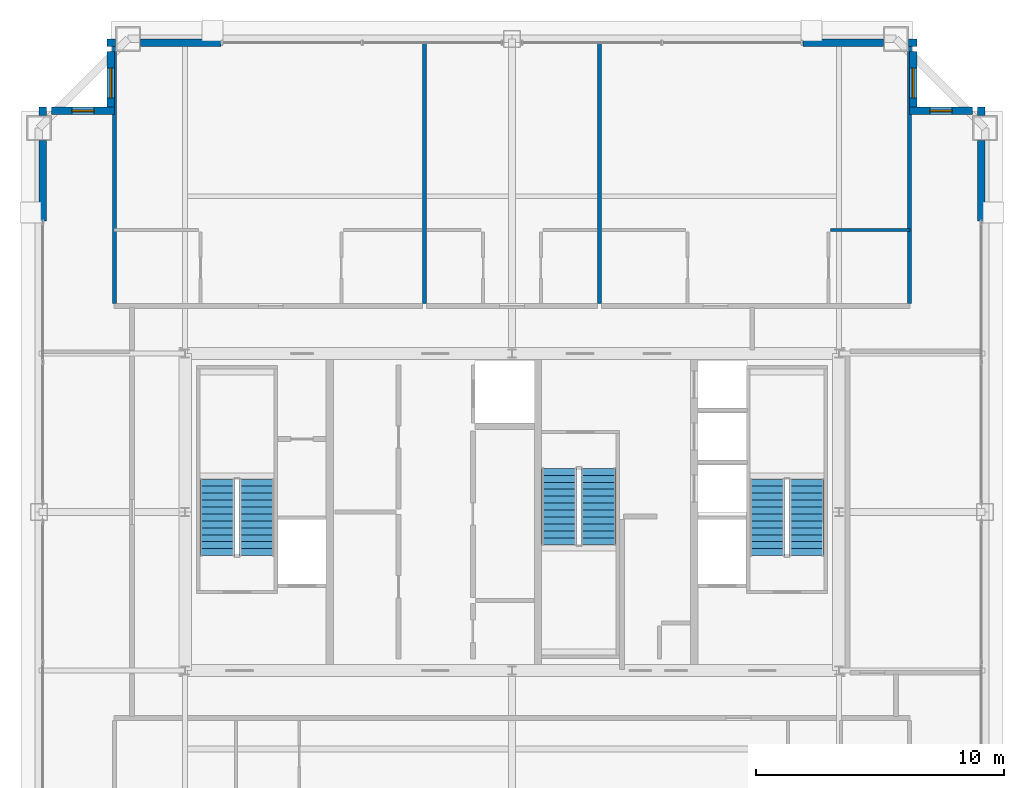
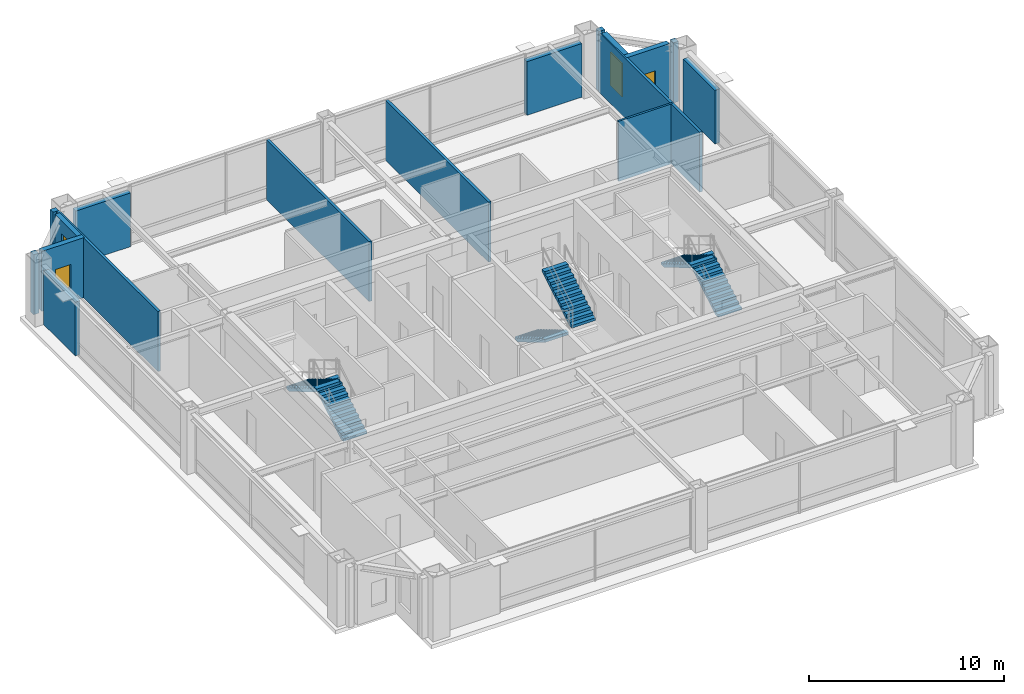
# One storey, part 33 of 34: 17 walls, 6 stair flights, 4 windows, 4 openings, 3 elements without a shape of their own.
"""IFC4 building model written with IfcOpenShell, lengths in metres."""

from ifc_helpers import new_model, si_unit, direction, frame, frame_2d, origin, place, context, subcontext, project, spatial, polyline, rectangle, outline, extrude, source, transform, mapped, material, layer, layer_set, type_object, element, fill, aggregate, save


model = new_model("IFC4")

# Units and contexts
model_context = context("Model", 3, precision=1e-05, world=origin(), true_north=direction((0.0, 1.0)))
body_context = subcontext(model_context, "Body", "Model", "MODEL_VIEW")
ifc_project = project(units=[si_unit("LENGTHUNIT", "METRE"), si_unit("AREAUNIT", "SQUARE_METRE"), si_unit("VOLUMEUNIT", "CUBIC_METRE"), si_unit("PLANEANGLEUNIT", "RADIAN"), si_unit("MASSUNIT", "GRAM", prefix="KILO"), si_unit("THERMODYNAMICTEMPERATUREUNIT", "KELVIN"), si_unit("POWERUNIT", "WATT")], contexts=[model_context])

# Site, building, storey
site_placement = place(None, origin())
site = spatial("IfcSite", under=ifc_project, at=site_placement, CompositionType="ELEMENT")
building_placement = place(site_placement, origin())
building = spatial("IfcBuilding", under=site, at=building_placement, Name="Yuzanri Waterfront Tower", CompositionType="ELEMENT")
storey_placement = place(building_placement, frame((0.0, 0.0, 339.199951171875)))
storey = spatial("IfcBuildingStorey", under=building, at=storey_placement, Name="L91", CompositionType="ELEMENT", Elevation=339.199951171875)

# Wall, opening, window
ifc_material_1 = material(Name="Honed Chongqing Dark Basalt Stone", Category="masonry")
ifc_layer_1 = layer(ifc_material_1, 0.300048828125)
ifc_layer_set_1 = layer_set([ifc_layer_1], Name="Honed Chongqing Dark Basalt Stone")
wall_type_1 = type_object("IfcWallType", Name="Bronze Rainscreen Insulated Spandrel Portal Wall 300", PredefinedType="SOLIDWALL", material=ifc_layer_set_1)
wall_1_placement = place(storey_placement, frame((20.949951171875, 42.0, 0.0), z_axis=(0.0, 0.0, 1.0), x_axis=(-1.0, 0.0, 0.0)))
wall_1 = element("IfcWall", 1, at=wall_1_placement, inside=storey, type_object=wall_type_1, Name="L91 Notched Corner Masonry Wall NW-X", PredefinedType="SOLIDWALL", context=body_context, shape_type="SweptSolid", body=[
    extrude(rectangle(XDim=2.550048828125, YDim=0.300048828125, at=frame_2d((1.27490234375, 0.0))), origin(), (0.0, 0.0, 1.0), 3.760009765625),
])
opening_1_placement = place(wall_1_placement, frame((0.824951171875, 0.0, 0.85009765625)))
opening_1 = element("IfcOpeningElement", 2, at=opening_1_placement, cuts=wall_1, Name="Opening WN-05", PredefinedType="OPENING", context=body_context, shape_type="SweptSolid", body=[
    extrude(rectangle(XDim=0.89990234375, YDim=1.5, at=frame_2d((0.449951171875, 0.75))), frame((0.0, 0.1650390625, 0.0), z_axis=(0.0, -1.0, 0.0), x_axis=(1.0, 0.0, 0.0)), (0.0, 0.0, 1.0), 0.329833984375),
])
ifc_material_2 = material(Name="Double-Silver Low-E Insulated Glass", Category="glass")
window_type_1 = type_object("IfcWindowType", Name="Anodized Bronze Service and Stairwell Smoke-Vent Window 900x1500", PartitioningType="SINGLE_PANEL", PredefinedType="WINDOW", material=ifc_material_2)
shared_shape_1 = source(origin(), body_context, "Body", "SweptSolid", [
    extrude(rectangle(XDim=0.89990234375, YDim=1.5, at=frame_2d((0.449951171875, 0.75))), frame((0.0, 0.030029296875, 0.0), z_axis=(0.0, -1.0, 0.0), x_axis=(1.0, 0.0, 0.0)), (0.0, 0.0, 1.0), 0.06005859375),
])
window_1_placement = place(opening_1_placement, origin())
window_1 = element("IfcWindow", 3, at=window_1_placement, inside=storey, type_object=window_type_1, Name="L91 Notched Corner Window NW-X", OverallHeight=1.5, OverallWidth=0.89990234375, PartitioningType="SINGLE_PANEL", PredefinedType="WINDOW", context=body_context, shape_type="MappedRepresentation", body=[
    mapped(shared_shape_1, transform((0.0, 0.0, 0.0), scale=1.0)),
])
fill(opening_1, window_1)

wall_2_placement = place(storey_placement, frame((20.800048828125, 44.39990234375, 0.0), z_axis=(0.0, 0.0, 1.0), x_axis=(0.0, -1.0, 0.0)))
wall_2 = element("IfcWall", 4, at=wall_2_placement, inside=storey, type_object=wall_type_1, Name="L91 Notched Corner Masonry Wall NW-Y", PredefinedType="SOLIDWALL", context=body_context, shape_type="SweptSolid", body=[
    extrude(rectangle(XDim=2.5498046875, YDim=0.300048828125, at=frame_2d((1.27490234375, 0.0))), origin(), (0.0, 0.0, 1.0), 3.760009765625),
])
opening_2_placement = place(wall_2_placement, frame((0.675048828125, 0.0, 0.85009765625)))
opening_2 = element("IfcOpeningElement", 5, at=opening_2_placement, cuts=wall_2, Name="Opening WN-02", PredefinedType="OPENING", context=body_context, shape_type="SweptSolid", body=[
    extrude(rectangle(XDim=1.199951171875, YDim=2.10009765625, at=frame_2d((0.60009765625, 1.050048828125))), frame((0.0, 0.1650390625, 0.0), z_axis=(0.0, -1.0, 0.0), x_axis=(1.0, 0.0, 0.0)), (0.0, 0.0, 1.0), 0.329833984375),
])
ifc_material_3 = material(Name="Double-Silver Low-E Insulated Glass", Category="glass")
window_type_2 = type_object("IfcWindowType", Name="Anodized Bronze Notched Corner Deep-Set Slot Window 1200x2100", PartitioningType="SINGLE_PANEL", PredefinedType="WINDOW", material=ifc_material_3)
shared_shape_2 = source(origin(), body_context, "Body", "SweptSolid", [
    extrude(rectangle(XDim=1.199951171875, YDim=2.10009765625, at=frame_2d((0.60009765625, 1.050048828125))), frame((0.0, 0.030029296875, 0.0), z_axis=(0.0, -1.0, 0.0), x_axis=(1.0, 0.0, 0.0)), (0.0, 0.0, 1.0), 0.06005859375),
])
window_2_placement = place(opening_2_placement, origin())
window_2 = element("IfcWindow", 6, at=window_2_placement, inside=storey, type_object=window_type_2, Name="L91 Notched Corner Window NW-Y", OverallHeight=2.10009765625, OverallWidth=1.199951171875, PartitioningType="SINGLE_PANEL", PredefinedType="WINDOW", context=body_context, shape_type="MappedRepresentation", body=[
    mapped(shared_shape_2, transform((0.0, 0.0, 0.0), scale=1.0)),
])
fill(opening_2, window_2)

wall_3_placement = place(storey_placement, frame((55.60009765625, 42.0, 0.0), z_axis=(0.0, 0.0, 1.0), x_axis=(-1.0, 0.0, 0.0)))
wall_3 = element("IfcWall", 7, at=wall_3_placement, inside=storey, type_object=wall_type_1, Name="L91 Notched Corner Masonry Wall NE-X", PredefinedType="SOLIDWALL", context=body_context, shape_type="SweptSolid", body=[
    extrude(rectangle(XDim=2.550048828125, YDim=0.300048828125, at=frame_2d((1.27490234375, 0.0))), origin(), (0.0, 0.0, 1.0), 3.760009765625),
])
opening_3_placement = place(wall_3_placement, frame((0.824951171875, 0.0, 0.85009765625)))
opening_3 = element("IfcOpeningElement", 8, at=opening_3_placement, cuts=wall_3, Name="Opening WN-05", PredefinedType="OPENING", context=body_context, shape_type="SweptSolid", body=[
    extrude(rectangle(XDim=0.89990234375, YDim=1.5, at=frame_2d((0.449951171875, 0.75))), frame((0.0, 0.1650390625, 0.0), z_axis=(0.0, -1.0, 0.0), x_axis=(1.0, 0.0, 0.0)), (0.0, 0.0, 1.0), 0.329833984375),
])
window_3_placement = place(opening_3_placement, origin())
window_3 = element("IfcWindow", 9, at=window_3_placement, inside=storey, type_object=window_type_1, Name="L91 Notched Corner Window NE-X", OverallHeight=1.5, OverallWidth=0.89990234375, PartitioningType="SINGLE_PANEL", PredefinedType="WINDOW", context=body_context, shape_type="MappedRepresentation", body=[
    mapped(shared_shape_1, transform((0.0, 0.0, 0.0), scale=1.0)),
])
fill(opening_3, window_3)

wall_4_placement = place(storey_placement, frame((53.199951171875, 41.85009765625, 0.0), z_axis=(0.0, 0.0, 1.0), x_axis=(0.0, 1.0, 0.0)))
wall_4 = element("IfcWall", 10, at=wall_4_placement, inside=storey, type_object=wall_type_1, Name="L91 Notched Corner Masonry Wall NE-Y", PredefinedType="SOLIDWALL", context=body_context, shape_type="SweptSolid", body=[
    extrude(rectangle(XDim=2.5498046875, YDim=0.300048828125, at=frame_2d((1.27490234375, 0.0))), origin(), (0.0, 0.0, 1.0), 3.760009765625),
])
opening_4_placement = place(wall_4_placement, frame((0.675048828125, 0.0, 0.85009765625)))
opening_4 = element("IfcOpeningElement", 11, at=opening_4_placement, cuts=wall_4, Name="Opening WN-02", PredefinedType="OPENING", context=body_context, shape_type="SweptSolid", body=[
    extrude(rectangle(XDim=1.199951171875, YDim=2.10009765625, at=frame_2d((0.60009765625, 1.050048828125))), frame((0.0, 0.1650390625, 0.0), z_axis=(0.0, -1.0, 0.0), x_axis=(1.0, 0.0, 0.0)), (0.0, 0.0, 1.0), 0.329833984375),
])
window_4_placement = place(opening_4_placement, origin())
window_4 = element("IfcWindow", 12, at=window_4_placement, inside=storey, type_object=window_type_2, Name="L91 Notched Corner Window NE-Y", OverallHeight=2.10009765625, OverallWidth=1.199951171875, PartitioningType="SINGLE_PANEL", PredefinedType="WINDOW", context=body_context, shape_type="MappedRepresentation", body=[
    mapped(shared_shape_2, transform((0.0, 0.0, 0.0), scale=1.0)),
])
fill(opening_4, window_4)

# Walls
shared_shape_3 = source(origin(), body_context, "Body", "SweptSolid", [
    extrude(rectangle(XDim=0.35009765625, YDim=0.300048828125, at=frame_2d((0.175048828125, 0.0))), origin(), (0.0, 0.0, 1.0), 3.760009765625),
])
for number, where, z_axis, x_axis, name in (
    (13, (20.64990234375, 44.75, 0.0), (0.0, 0.0, 1.0), (1.0, 0.0, 0.0), "L91 Corner Column Shoulder Return CNW"),
    (14, (53.0, 44.75, 0.0), (0.0, 0.0, 1.0), (1.0, 0.0, 0.0), "L91 Corner Column Shoulder Return CNE"),
):
    element("IfcWall", number, at=place(storey_placement, frame(where, z_axis=z_axis, x_axis=x_axis)), inside=storey, type_object=wall_type_1, Name=name, PredefinedType="SOLIDWALL", context=body_context, shape_type="MappedRepresentation", body=[
        mapped(shared_shape_3, transform((0.0, 0.0, 0.0), scale=1.0)),
    ])
shared_shape_4 = source(origin(), body_context, "Body", "SweptSolid", [
    extrude(rectangle(XDim=0.349853515625, YDim=0.300048828125, at=frame_2d((0.1748046875, 0.0))), origin(), (0.0, 0.0, 1.0), 3.760009765625),
])
for number, where, z_axis, x_axis, name in (
    (15, (18.050048828125, 41.800048828125, 0.0), (0.0, 0.0, 1.0), (0.0, 1.0, 0.0), "L91 Corner Column Shoulder Return CWN"),
    (16, (55.949951171875, 41.800048828125, 0.0), (0.0, 0.0, 1.0), (0.0, 1.0, 0.0), "L91 Corner Column Shoulder Return CEN"),
):
    element("IfcWall", number, at=place(storey_placement, frame(where, z_axis=z_axis, x_axis=x_axis)), inside=storey, type_object=wall_type_1, Name=name, PredefinedType="SOLIDWALL", context=body_context, shape_type="MappedRepresentation", body=[
        mapped(shared_shape_4, transform((0.0, 0.0, 0.0), scale=1.0)),
    ])
shared_shape_5 = source(origin(), body_context, "Body", "SweptSolid", [
    extrude(rectangle(XDim=3.25, YDim=0.300048828125, at=frame_2d((1.625, 0.0))), origin(), (0.0, 0.0, 1.0), 3.364990234375),
])
for number, where, z_axis, x_axis, name in (
    (17, (22.0, 44.75, 0.0), (0.0, 0.0, 1.0), (1.0, 0.0, 0.0), "L91 N Left Braced Masonry Shoulder"),
    (18, (48.75, 44.75, 0.0), (0.0, 0.0, 1.0), (1.0, 0.0, 0.0), "L91 N Right Braced Masonry Shoulder"),
    (19, (18.050048828125, 37.550048828125, 0.0), (0.0, 0.0, 1.0), (0.0, 1.0, 0.0), "L91 W Right Braced Masonry Shoulder"),
    (20, (55.949951171875, 37.550048828125, 0.0), (0.0, 0.0, 1.0), (0.0, 1.0, 0.0), "L91 E Right Braced Masonry Shoulder"),
):
    element("IfcWall", number, at=place(storey_placement, frame(where, z_axis=z_axis, x_axis=x_axis)), inside=storey, type_object=wall_type_1, Name=name, PredefinedType="SOLIDWALL", context=body_context, shape_type="MappedRepresentation", body=[
        mapped(shared_shape_5, transform((0.0, 0.0, 0.0), scale=1.0)),
    ])
ifc_material_4 = material(Name="Gypsum Fireboard Acoustic Stud Wall", Category="gypsum")
ifc_layer_2 = layer(ifc_material_4, 0.159912109375)
ifc_layer_set_2 = layer_set([ifc_layer_2], Name="Gypsum Fireboard Acoustic Stud Wall")
wall_type_2 = type_object("IfcWallType", Name="Acoustic Suite Demising Partition 160", PredefinedType="PARTITIONING", material=ifc_layer_set_2)
shared_shape_6 = source(origin(), body_context, "Body", "SweptSolid", [
    extrude(rectangle(XDim=10.5400390625, YDim=0.159912109375, at=frame_2d((5.27001953125, 0.0))), origin(), (0.0, 0.0, 1.0), 3.760009765625),
])
for number, where, z_axis, x_axis, name in (
    (21, (33.467041015625, 34.2099609375, 0.0), (0.0, 0.0, 1.0), (0.0, 1.0, 0.0), "L91-HN1 Party Wall"),
    (22, (40.532958984375, 34.2099609375, 0.0), (0.0, 0.0, 1.0), (0.0, 1.0, 0.0), "L91-HN2 Party Wall"),
):
    element("IfcWall", number, at=place(storey_placement, frame(where, z_axis=z_axis, x_axis=x_axis)), inside=storey, type_object=wall_type_2, Name=name, PredefinedType="PARTITIONING", context=body_context, shape_type="MappedRepresentation", body=[
        mapped(shared_shape_6, transform((0.0, 0.0, 0.0), scale=1.0)),
    ])
ifc_material_5 = material(Name="Moisture-Resistant Gypsum Stud Wall", Category="gypsum")
ifc_layer_3 = layer(ifc_material_5, 0.1201171875)
ifc_layer_set_3 = layer_set([ifc_layer_3], Name="Moisture-Resistant Gypsum Stud Wall")
wall_type_3 = type_object("IfcWallType", Name="Bathroom and Kitchen Wet Partition 120", PredefinedType="PARTITIONING", material=ifc_layer_set_3)
shared_shape_7 = source(origin(), body_context, "Body", "SweptSolid", [
    extrude(rectangle(XDim=3.199951171875, YDim=0.1201171875, at=frame_2d((1.60009765625, 0.0))), origin(), (0.0, 0.0, 1.0), 3.760009765625),
])
wall_5_placement = place(storey_placement, frame((49.860107421875, 37.18994140625, 0.0), z_axis=(0.0, 0.0, 1.0), x_axis=(1.0, 0.0, 0.0)))
element("IfcWall", 23, at=wall_5_placement, inside=storey, type_object=wall_type_3, Name="L91 Partition UW-L91-HN3-SUB-2-N", PredefinedType="PARTITIONING", context=body_context, shape_type="MappedRepresentation", body=[
    mapped(shared_shape_7, transform((0.0, 0.0, 0.0), scale=1.0)),
])
shared_shape_8 = source(origin(), body_context, "Body", "SweptSolid", [
    extrude(rectangle(XDim=10.39013671875, YDim=0.159912109375, at=frame_2d((5.195068359375, 0.0))), origin(), (0.0, 0.0, 1.0), 3.760009765625),
])
for number, where, z_axis, x_axis, name in (
    (24, (20.949951171875, 34.2099609375, 0.0), (0.0, 0.0, 1.0), (0.0, 1.0, 0.0), "L91 North Band West End Wall"),
    (25, (53.050048828125, 34.2099609375, 0.0), (0.0, 0.0, 1.0), (0.0, 1.0, 0.0), "L91 North Band East End Wall"),
):
    element("IfcWall", number, at=place(storey_placement, frame(where, z_axis=z_axis, x_axis=x_axis)), inside=storey, type_object=wall_type_2, Name=name, PredefinedType="PARTITIONING", context=body_context, shape_type="MappedRepresentation", body=[
        mapped(shared_shape_8, transform((0.0, 0.0, 0.0), scale=1.0)),
    ])

# Stair, stair flights
ifc_material_6 = material(Name="Concrete C40", Category="concrete")
stair_type = type_object("IfcStairType", Name="Concrete C40 Core Dogleg Exit Stair", PredefinedType="HALF_TURN_STAIR", material=ifc_material_6)
stair_1_placement = place(storey_placement, origin())
stair_1 = element("IfcStair", 26, at=stair_1_placement, inside=storey, type_object=stair_type, Name="L91 Smoke-Proof Core Stair ST-01", PredefinedType="HALF_TURN_STAIR")
ifc_material_7 = material(Name="Concrete C40", Category="concrete")
stair_flight_type = type_object("IfcStairFlightType", Name="Concrete C40 Precast Stair Flight 1380", PredefinedType="STRAIGHT", material=ifc_material_7)
shared_shape_9 = source(origin(), body_context, "Body", "SweptSolid", [
    extrude(outline(polyline([(0.0, 0.0), (0.0, 0.166748046875), (0.280029296875, 0.166748046875), (0.280029296875, 0.333251953125), (0.56005859375, 0.333251953125), (0.56005859375, 0.5), (0.840087890625, 0.5), (0.840087890625, 0.666748046875), (1.1201171875, 0.666748046875), (1.1201171875, 0.833251953125), (1.39990234375, 0.833251953125), (1.39990234375, 1.0), (1.679931640625, 1.0), (1.679931640625, 1.166748046875), (1.9599609375, 1.166748046875), (1.9599609375, 1.333251953125), (2.239990234375, 1.333251953125), (2.239990234375, 1.5), (2.52001953125, 1.5), (2.52001953125, 1.666748046875), (2.800048828125, 1.666748046875), (2.800048828125, 1.833251953125), (3.080078125, 1.833251953125), (3.080078125, 2.0), (3.080078125, 1.658935546875), (0.29296875, 0.0), (0.0, 0.0)])), frame((0.0, 0.699951171875, 0.0), z_axis=(0.0, -1.0, 0.0), x_axis=(1.0, 0.0, 0.0)), (0.0, 0.0, 1.0), 1.39990234375),
])
stair_flight_1_placement = place(storey_placement, frame((26.699951171875, 24.0400390625, 0.0), z_axis=(0.0, 0.0, 1.0), x_axis=(0.0, 1.0, 0.0)))
stair_flight_1 = element("IfcStairFlight", 27, at=stair_flight_1_placement, type_object=stair_flight_type, Name="ST-01 flight 1", NumberOfRisers=12, NumberOfTreads=11, PredefinedType="STRAIGHT", RiserHeight=0.166666667, TreadLength=0.28, context=body_context, shape_type="MappedRepresentation", body=[
    mapped(shared_shape_9, transform((0.0, 0.0, 0.0), scale=1.0)),
])
stair_flight_2_placement = place(storey_placement, frame((25.10009765625, 27.1201171875, 2.0), z_axis=(0.0, 0.0, 1.0), x_axis=(0.0, -1.0, 0.0)))
stair_flight_2 = element("IfcStairFlight", 28, at=stair_flight_2_placement, type_object=stair_flight_type, Name="ST-01 flight 2", NumberOfRisers=12, NumberOfTreads=11, PredefinedType="STRAIGHT", RiserHeight=0.166666667, TreadLength=0.28, context=body_context, shape_type="MappedRepresentation", body=[
    mapped(shared_shape_9, transform((0.0, 0.0, 0.0), scale=1.0)),
])
aggregate(stair_1, [stair_flight_1, stair_flight_2])

stair_2_placement = place(storey_placement, origin())
stair_2 = element("IfcStair", 29, at=stair_2_placement, inside=storey, type_object=stair_type, Name="L91 Smoke-Proof Core Stair ST-02", PredefinedType="HALF_TURN_STAIR")
stair_flight_3_placement = place(storey_placement, frame((48.89990234375, 24.0400390625, 0.0), z_axis=(0.0, 0.0, 1.0), x_axis=(0.0, 1.0, 0.0)))
stair_flight_3 = element("IfcStairFlight", 30, at=stair_flight_3_placement, type_object=stair_flight_type, Name="ST-02 flight 1", NumberOfRisers=12, NumberOfTreads=11, PredefinedType="STRAIGHT", RiserHeight=0.166666667, TreadLength=0.28, context=body_context, shape_type="MappedRepresentation", body=[
    mapped(shared_shape_9, transform((0.0, 0.0, 0.0), scale=1.0)),
])
stair_flight_4_placement = place(storey_placement, frame((47.300048828125, 27.1201171875, 2.0), z_axis=(0.0, 0.0, 1.0), x_axis=(0.0, -1.0, 0.0)))
stair_flight_4 = element("IfcStairFlight", 31, at=stair_flight_4_placement, type_object=stair_flight_type, Name="ST-02 flight 2", NumberOfRisers=12, NumberOfTreads=11, PredefinedType="STRAIGHT", RiserHeight=0.166666667, TreadLength=0.28, context=body_context, shape_type="MappedRepresentation", body=[
    mapped(shared_shape_9, transform((0.0, 0.0, 0.0), scale=1.0)),
])
aggregate(stair_2, [stair_flight_3, stair_flight_4])

stair_3_placement = place(storey_placement, origin())
stair_3 = element("IfcStair", 32, at=stair_3_placement, inside=storey, type_object=stair_type, Name="L91 Smoke-Proof Core Stair ST-03", PredefinedType="HALF_TURN_STAIR")
stair_flight_5_placement = place(storey_placement, frame((38.89990234375, 27.56005859375, 0.0), z_axis=(0.0, 0.0, 1.0), x_axis=(0.0, -1.0, 0.0)))
stair_flight_5 = element("IfcStairFlight", 33, at=stair_flight_5_placement, type_object=stair_flight_type, Name="ST-03 flight 1", NumberOfRisers=12, NumberOfTreads=11, PredefinedType="STRAIGHT", RiserHeight=0.166666667, TreadLength=0.28, context=body_context, shape_type="MappedRepresentation", body=[
    mapped(shared_shape_9, transform((0.0, 0.0, 0.0), scale=1.0)),
])
stair_flight_6_placement = place(storey_placement, frame((40.5, 24.47998046875, 2.0), z_axis=(0.0, 0.0, 1.0), x_axis=(0.0, 1.0, 0.0)))
stair_flight_6 = element("IfcStairFlight", 34, at=stair_flight_6_placement, type_object=stair_flight_type, Name="ST-03 flight 2", NumberOfRisers=12, NumberOfTreads=11, PredefinedType="STRAIGHT", RiserHeight=0.166666667, TreadLength=0.28, context=body_context, shape_type="MappedRepresentation", body=[
    mapped(shared_shape_9, transform((0.0, 0.0, 0.0), scale=1.0)),
])
aggregate(stair_3, [stair_flight_5, stair_flight_6])

save(model, "model.ifc")
